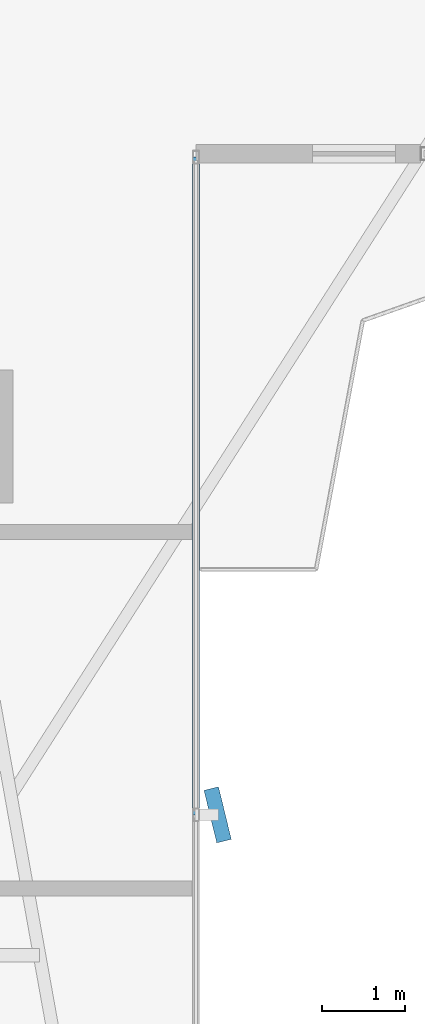
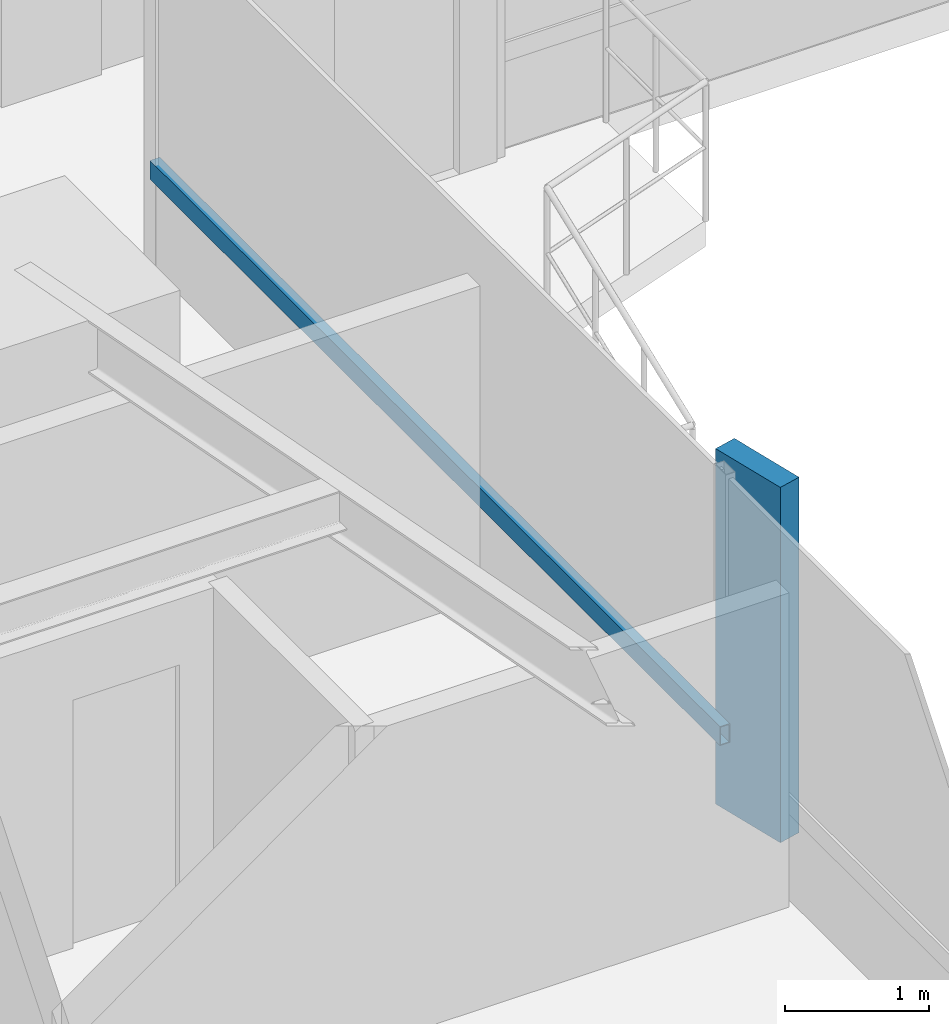
# One storey, part 5 of 25: 2 members, 1 element without a shape of its own.
"""IFC4 building model written with IfcOpenShell, lengths in metres."""

from ifc_helpers import new_model, si_unit, direction, frame, origin, origin_2d, place, context, subcontext, project, spatial, rectangle, hollow_rectangle, extrude, source, transform, mapped, material, material_profile, profile_set, type_object, element, aggregate, save


model = new_model("IFC4")

# Units and contexts
model_context = context("Model", 3, precision=1e-05, world=origin(), true_north=direction((0.0, 1.0)))
body_context = subcontext(model_context, "Body", "Model", "MODEL_VIEW")
ifc_project = project(units=[si_unit("LENGTHUNIT", "METRE"), si_unit("AREAUNIT", "SQUARE_METRE"), si_unit("VOLUMEUNIT", "CUBIC_METRE"), si_unit("PLANEANGLEUNIT", "RADIAN"), si_unit("MASSUNIT", "GRAM", prefix="KILO")], contexts=[model_context])

# Site, building, storey
site_placement = place(None, origin())
site = spatial("IfcSite", under=ifc_project, at=site_placement, CompositionType="ELEMENT")
building_placement = place(site_placement, origin())
building = spatial("IfcBuilding", under=site, at=building_placement, Name="Sahyath Konkavel Grand Hotel", CompositionType="ELEMENT")
storey_placement = place(building_placement, frame((0.0, 0.0, 39.85009765625)))
storey = spatial("IfcBuildingStorey", under=building, at=storey_placement, Name="L10", CompositionType="ELEMENT", Elevation=39.85009765625)

# Curtain wall, members
ifc_material_1 = material(Name="Anodised Bronze Aluminium & Low-E Glazing", Category="aluminium")
curtain_wall_type = type_object("IfcCurtainWallType", Name="CW-ZONE1", PredefinedType="NOTDEFINED", material=ifc_material_1)
curtain_wall_placement = place(storey_placement, origin())
curtain_wall = element("IfcCurtainWall", 1, at=curtain_wall_placement, inside=storey, type_object=curtain_wall_type, Name="L10 Unitised Curtain Wall F31", PredefinedType="NOTDEFINED")
ifc_material_2 = material(Name="Warm Buff Sandstone Cladding on Concrete C50/60", Category="masonry")
ifc_material_profile_1 = material_profile(ifc_material_2, rectangle(XDim=0.179931640625, YDim=0.64990234375, at=origin_2d()), Name="FIN 180x650")
ifc_profile_set_1 = profile_set([ifc_material_profile_1], Name="Warm Buff Sandstone Cladding on Concrete C50/60")
member_type_1 = type_object("IfcMemberType", Name="FIN-SANDSTONE-650", PredefinedType="MULLION", material=ifc_profile_set_1)
shared_shape_1 = source(origin(), body_context, "Body", "SweptSolid", [
    extrude(rectangle(XDim=0.179931640625, YDim=0.64990234375, at=origin_2d()), origin(), (0.0, 0.0, 1.0), 3.010009765625),
])
member_1_placement = place(storey_placement, frame((7.06005859375, -14.75, 0.0498046875), z_axis=(0.0, 0.0, 1.0), x_axis=(0.971590441254, 0.236668575149, 0.0)))
member_1 = element("IfcMember", 2, at=member_1_placement, type_object=member_type_1, Name="L10 Sandstone Vertical Solar Fin FIN F31-1", PredefinedType="MULLION", context=body_context, shape_type="MappedRepresentation", body=[
    mapped(shared_shape_1, transform((0.0, 0.0, 0.0), scale=1.0)),
])
ifc_material_3 = material(Name="Anodised Bronze Aluminium", Category="aluminium")
ifc_material_profile_2 = material_profile(ifc_material_3, hollow_rectangle(XDim=0.080078125, YDim=0.159912109375, WallThickness=0.006103515625, at=origin_2d()), Name="RHS 160x80x6")
ifc_profile_set_2 = profile_set([ifc_material_profile_2], Name="Anodised Bronze Aluminium")
member_type_2 = type_object("IfcMemberType", Name="CW-TRN-160", PredefinedType="USERDEFINED", material=ifc_profile_set_2)
shared_shape_2 = source(origin(), body_context, "Body", "SweptSolid", [
    extrude(hollow_rectangle(XDim=0.080078125, YDim=0.159912109375, WallThickness=0.006103515625, at=origin_2d()), origin(), (0.0, 0.0, 1.0), 7.909912109375),
])
member_2_placement = place(storey_placement, frame((6.800048828125, -14.75, 0.849853515625), z_axis=(0.0, 1.0, 0.0), x_axis=(-1.0, 0.0, 0.0)))
member_2 = element("IfcMember", 3, at=member_2_placement, type_object=member_type_2, Name="L10 Curtain Wall Transom F31-1-spandrel", ObjectType="TRANSOM", PredefinedType="USERDEFINED", context=body_context, shape_type="MappedRepresentation", body=[
    mapped(shared_shape_2, transform((0.0, 0.0, 0.0), scale=1.0)),
])
aggregate(curtain_wall, [member_1, member_2])

save(model, "model.ifc")
